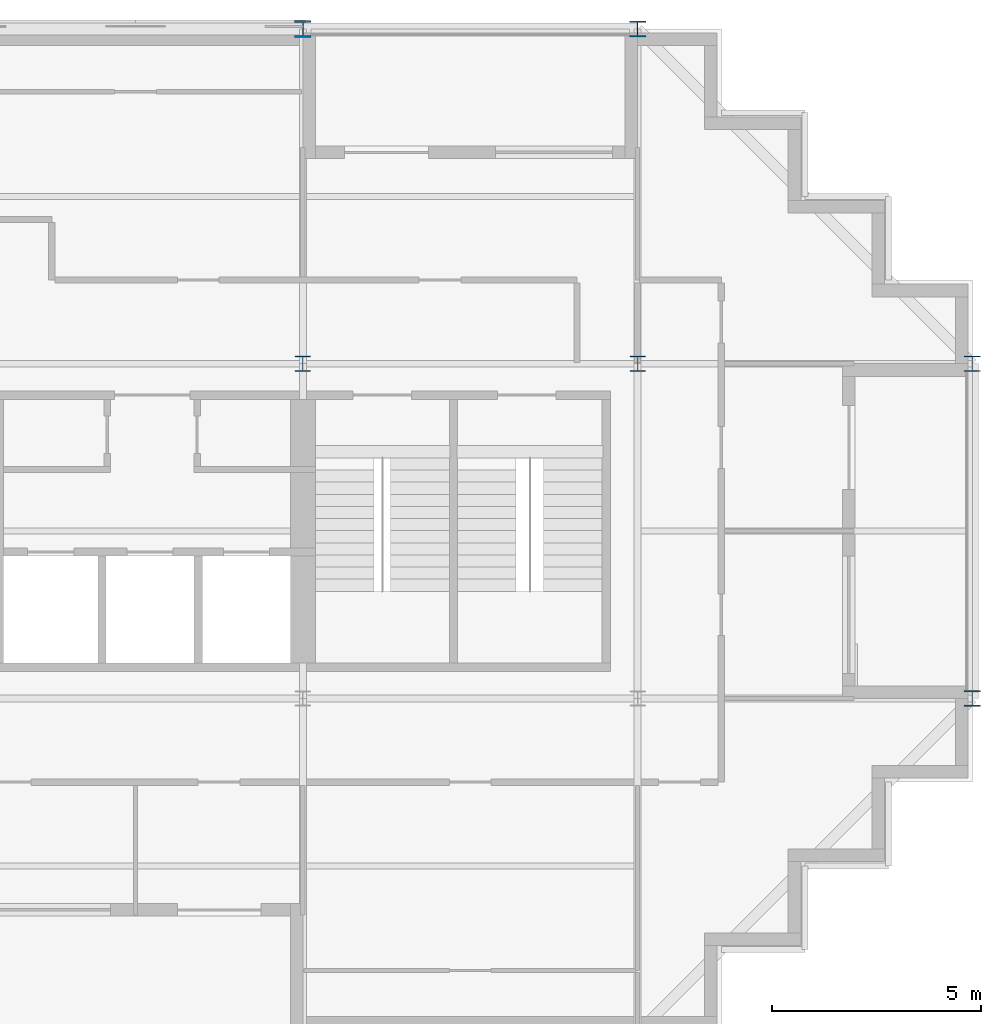
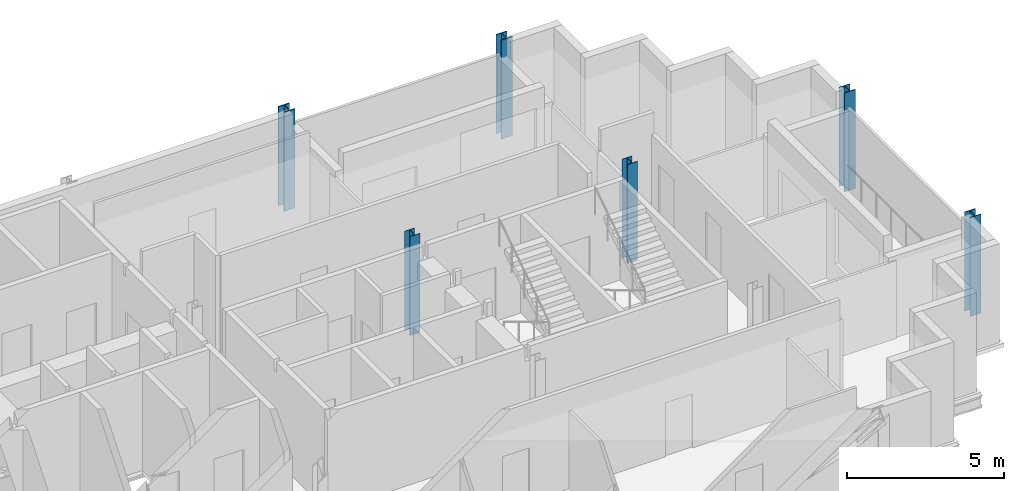
# One storey, part 2 of 9: 6 columns.
"""IFC4 building model written with IfcOpenShell, lengths in metres."""

from ifc_helpers import new_model, si_unit, direction, frame, origin, origin_2d, place, context, subcontext, project, spatial, i_section, extrude, material, material_profile, profile_set, type_object, element, save


model = new_model("IFC4")

# Units and contexts
model_context = context("Model", 3, precision=1e-05, world=origin(), true_north=direction((0.0, 1.0)))
body_context = subcontext(model_context, "Body", "Model", "MODEL_VIEW")
ifc_project = project(units=[si_unit("LENGTHUNIT", "METRE"), si_unit("AREAUNIT", "SQUARE_METRE"), si_unit("VOLUMEUNIT", "CUBIC_METRE"), si_unit("PLANEANGLEUNIT", "RADIAN"), si_unit("MASSUNIT", "GRAM", prefix="KILO")], contexts=[model_context])

# Site, building, storey
site_placement = place(None, origin())
site = spatial("IfcSite", under=ifc_project, at=site_placement, CompositionType="ELEMENT")
building_placement = place(site_placement, origin())
building = spatial("IfcBuilding", under=site, at=building_placement, Name="Immortelle Media Tower", CompositionType="ELEMENT")
storey_placement = place(building_placement, frame((0.0, 0.0, 247.0)))
storey = spatial("IfcBuildingStorey", under=building, at=storey_placement, Name="L53", CompositionType="ELEMENT", Elevation=247.0)

# Columns
ifc_material = material(Name="Steel ASTM A992 Gr 50", Category="steel")
ifc_material_profile_1 = material_profile(ifc_material, i_section(OverallWidth=0.39404296875, OverallDepth=0.3759765625, WebThickness=0.01708984375, FlangeThickness=0.028076171875, at=origin_2d()), Name="W14x145")
ifc_profile_set_1 = profile_set([ifc_material_profile_1], Name="Steel ASTM A992 Gr 50")
column_type_1 = type_object("IfcColumnType", Name="W14x145 column", PredefinedType="COLUMN", material=ifc_profile_set_1)
for number, where, z_axis, x_axis, name in (
    (1, (40.0, 24.0, 0.0), (0.0, 0.0, 1.0), (1.0, 0.0, 0.0), "Column 6/D"),
    (2, (48.0, 8.0, 0.0), (0.0, 0.0, 1.0), (1.0, 0.0, 0.0), "Column 7/B"),
    (3, (48.0, 16.0, 0.0), (0.0, 0.0, 1.0), (1.0, 0.0, 0.0), "Column 7/C"),
):
    element("IfcColumn", number, at=place(storey_placement, frame(where, z_axis=z_axis, x_axis=x_axis)), inside=storey, type_object=column_type_1, Name=name, PredefinedType="COLUMN", context=body_context, shape_type="SweptSolid", body=[
        extrude(i_section(OverallWidth=0.39404296875, OverallDepth=0.3759765625, WebThickness=0.01708984375, FlangeThickness=0.028076171875, at=origin_2d()), origin(), (0.0, 0.0, 1.0), 3.85009765625),
    ])
ifc_material_profile_2 = material_profile(ifc_material, i_section(OverallWidth=0.40087890625, OverallDepth=0.39892578125, WebThickness=0.02490234375, FlangeThickness=0.0400390625, at=origin_2d()), Name="W14x211")
ifc_profile_set_2 = profile_set([ifc_material_profile_2], Name="Steel ASTM A992 Gr 50")
column_type_2 = type_object("IfcColumnType", Name="W14x211 column", PredefinedType="COLUMN", material=ifc_profile_set_2)
column_placement = place(storey_placement, frame((32.0, 24.0, 0.0), z_axis=(0.0, 0.0, 1.0), x_axis=(1.0, 0.0, 0.0)))
element("IfcColumn", 4, at=column_placement, inside=storey, type_object=column_type_2, Name="Column 5/D", PredefinedType="COLUMN", context=body_context, shape_type="SweptSolid", body=[
    extrude(i_section(OverallWidth=0.40087890625, OverallDepth=0.39892578125, WebThickness=0.02490234375, FlangeThickness=0.0400390625, at=origin_2d()), origin(), (0.0, 0.0, 1.0), 3.85009765625),
])
ifc_material_profile_3 = material_profile(ifc_material, i_section(OverallWidth=0.37109375, OverallDepth=0.361083984375, WebThickness=0.011962890625, FlangeThickness=0.02001953125, at=origin_2d()), Name="W14x99")
ifc_profile_set_3 = profile_set([ifc_material_profile_3], Name="Steel ASTM A992 Gr 50")
column_type_3 = type_object("IfcColumnType", Name="W14x99 column", PredefinedType="COLUMN", material=ifc_profile_set_3)
for number, where, z_axis, x_axis, name in (
    (5, (32.0, 16.0, 0.0), (0.0, 0.0, 1.0), (1.0, 0.0, 0.0), "Column 5/C"),
    (6, (40.0, 16.0, 0.0), (0.0, 0.0, 1.0), (1.0, 0.0, 0.0), "Column 6/C"),
):
    element("IfcColumn", number, at=place(storey_placement, frame(where, z_axis=z_axis, x_axis=x_axis)), inside=storey, type_object=column_type_3, Name=name, PredefinedType="COLUMN", context=body_context, shape_type="SweptSolid", body=[
        extrude(i_section(OverallWidth=0.37109375, OverallDepth=0.361083984375, WebThickness=0.011962890625, FlangeThickness=0.02001953125, at=origin_2d()), origin(), (0.0, 0.0, 1.0), 3.85009765625),
    ])

save(model, "model.ifc")
